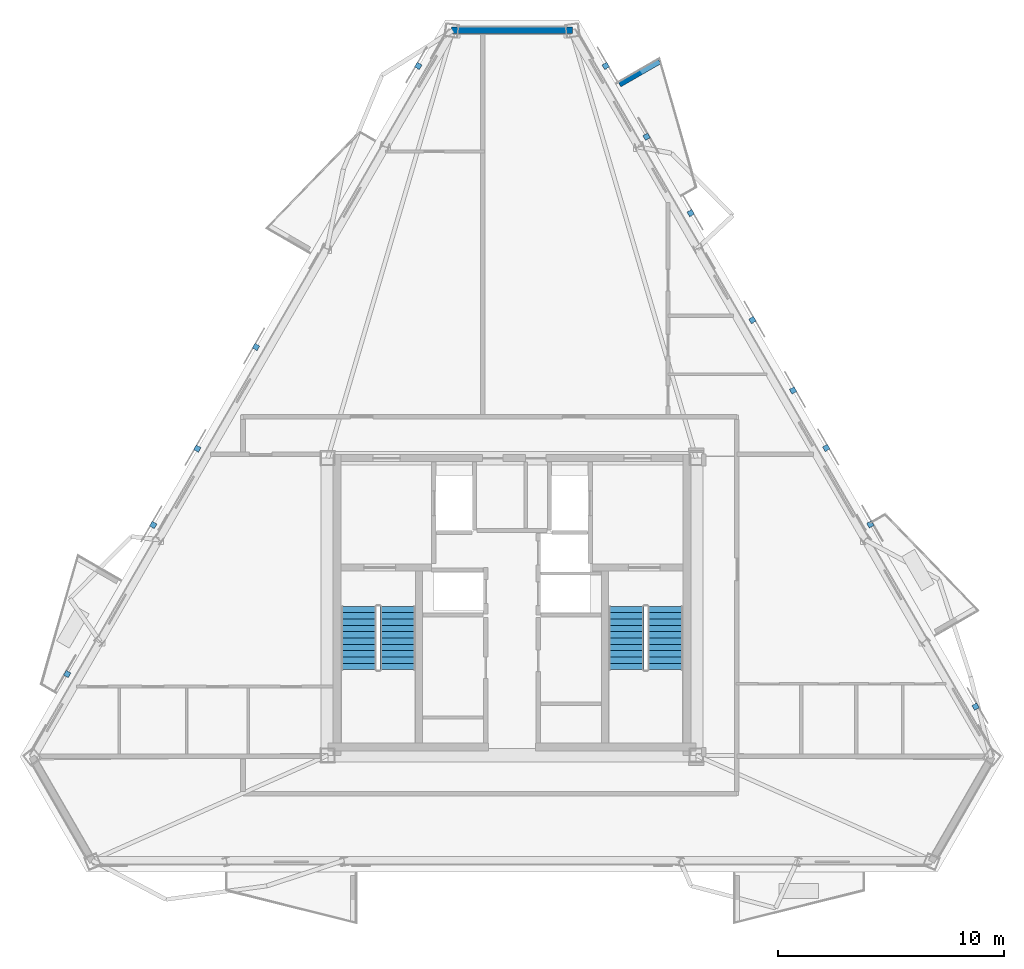
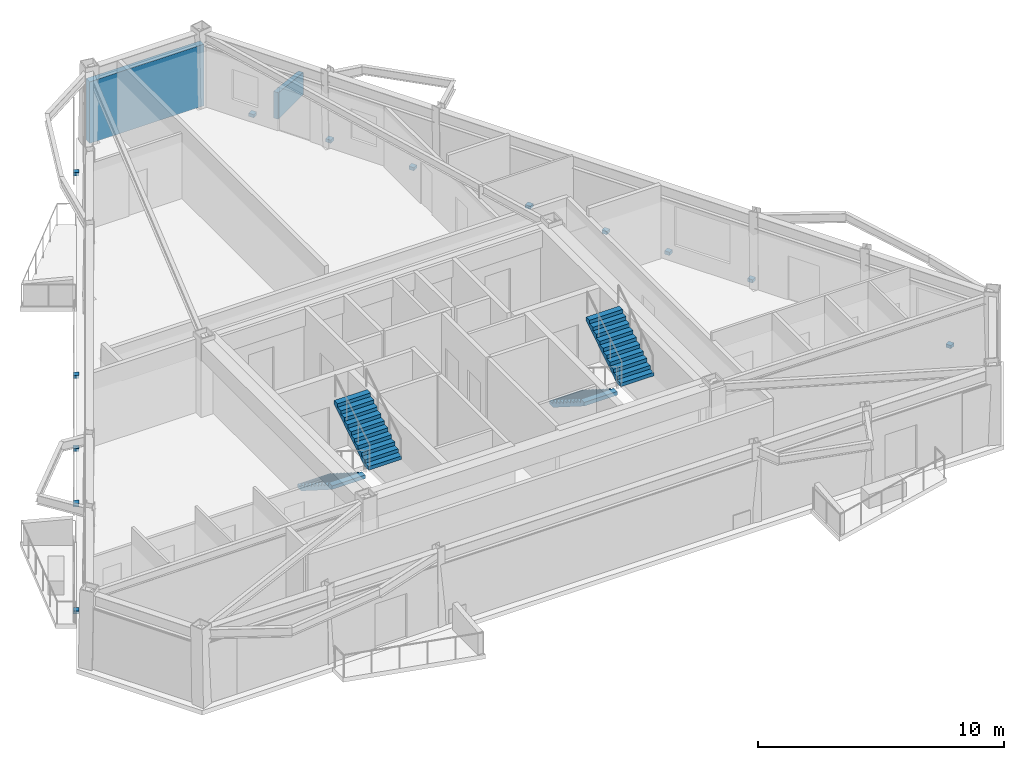
# One storey, part 5 of 9: 13 discrete accessories, 4 stair flights, 2 walls, 2 elements without a shape of their own.
"""IFC4 building model written with IfcOpenShell, lengths in metres."""

import ifcopenshell
import ifcopenshell.guid

model = None  # the IFC model being written
_history = None  # IfcOwnerHistory: only IFC2X3 demands one
_inside = {}  # id of a spatial element -> (the spatial element, [elements in it])
_under = {}  # id of a project, library or spatial element -> (it, [spatial elements below it])
_declared = {}  # id of a project -> (the project, [libraries it declares])
_typed = {}  # id of a type object -> (the type object, [elements of that type])
_made_of = {}  # id of a material, layer set ... -> (it, [elements and type objects made of it])


def new_model(schema):
    """Start an empty IFC model of exactly this schema.

    Asked for "IFC4X3", IfcOpenShell would pick the latest addendum, in which some entities
    have other attributes; the version numbers below select the first issue.
    IFC2X3 requires an IfcOwnerHistory on every rooted entity: one is made here for all.
    """
    global model, _history
    if schema == "IFC4X3":
        model = ifcopenshell.file(schema_version=(4, 3, 0, 0))
    else:
        model = ifcopenshell.file(schema=schema)
    _inside.clear()
    _under.clear()
    _declared.clear()
    _typed.clear()
    _made_of.clear()
    _history = None
    if model.schema == "IFC2X3":
        org = make("IfcOrganization", Name="unknown")
        user = make(
            "IfcPersonAndOrganization",
            ThePerson=make("IfcPerson", FamilyName="unknown"),
            TheOrganization=org,
        )
        app = make(
            "IfcApplication",
            ApplicationDeveloper=org,
            Version="unknown",
            ApplicationFullName="unknown",
            ApplicationIdentifier="unknown",
        )
        _history = make(
            "IfcOwnerHistory",
            OwningUser=user,
            OwningApplication=app,
            ChangeAction="ADDED",
            CreationDate=0,
        )
    return model


def make(cls, **values):
    """One entity of the class cls with the attributes given. An attribute that is None is left unset."""
    return model.create_entity(
        cls, **{name: value for name, value in values.items() if value is not None}
    )


def rooted(cls, **values):
    """An entity with a GlobalId (a new one), such as an element, a storey or a relation."""
    return make(cls, GlobalId=ifcopenshell.guid.new(), OwnerHistory=_history, **values)


def si_unit(unit_type, name, prefix=None):
    """IfcSIUnit, for example si_unit("LENGTHUNIT", "METRE", prefix="MILLI")."""
    return make("IfcSIUnit", UnitType=unit_type, Prefix=prefix, Name=name)


def assignment(units):
    """IfcUnitAssignment: the units of a project."""
    return None if units is None else make("IfcUnitAssignment", Units=units)


def point(xyz):
    """IfcCartesianPoint."""
    return None if xyz is None else make("IfcCartesianPoint", Coordinates=xyz)


def direction(xyz):
    """IfcDirection."""
    return None if xyz is None else make("IfcDirection", DirectionRatios=xyz)


def frame(location, z_axis=None, x_axis=None):
    """IfcAxis2Placement3D, a coordinate frame: its origin and axes. An axis left out is left unset."""
    return make(
        "IfcAxis2Placement3D",
        Location=point(location),
        Axis=direction(z_axis),
        RefDirection=direction(x_axis),
    )


def frame_2d(location, x_axis=None):
    """IfcAxis2Placement2D, a coordinate frame in the plane: its origin and x axis."""
    return make(
        "IfcAxis2Placement2D", Location=point(location), RefDirection=direction(x_axis)
    )


def origin():
    """The frame at (0, 0, 0) with its axes left unset."""
    return frame((0.0, 0.0, 0.0))


def origin_2d():
    """The frame at (0, 0) in the plane with its x axis left unset."""
    return frame_2d((0.0, 0.0))


def place(relative_to, where):
    """IfcLocalPlacement: puts the frame where relative to a parent placement (None: the world)."""
    return make(
        "IfcLocalPlacement", PlacementRelTo=relative_to, RelativePlacement=where
    )


def context(
    kind, dimensions, precision=None, world=None, true_north=None, identifier=None
):
    """IfcGeometricRepresentationContext, for example the 3D "Model" context."""
    return make(
        "IfcGeometricRepresentationContext",
        ContextIdentifier=identifier,
        ContextType=kind,
        CoordinateSpaceDimension=dimensions,
        Precision=precision,
        WorldCoordinateSystem=world,
        TrueNorth=true_north,
    )


def subcontext(parent, identifier, kind, view, scale=None):
    """IfcGeometricRepresentationSubContext, for example "Body" below "Model"."""
    return make(
        "IfcGeometricRepresentationSubContext",
        ContextIdentifier=identifier,
        ContextType=kind,
        ParentContext=parent,
        TargetScale=scale,
        TargetView=view,
    )


def project(units=None, contexts=None):
    """IfcProject with its units and contexts."""
    return rooted(
        "IfcProject",
        Name="project",
        RepresentationContexts=contexts,
        UnitsInContext=assignment(units),
    )


def spatial(cls, under=None, at=None, **own):
    """A site, building, storey or space (cls), placed at a placement, below another one or the project."""
    s = rooted(cls, ObjectPlacement=at, **own)
    if under is not None:
        _under.setdefault(under.id(), (under, []))[1].append(s)
    return s


def polyline(points):
    """IfcPolyline through the points."""
    return make("IfcPolyline", Points=[point(p) for p in points])


def profile(cls, at=None, kind="AREA", **sizes):
    """A parametric profile (cls). Its sizes go by their IFC names, for example OverallWidth=200.0."""
    return make(cls, ProfileType=kind, Position=at, **sizes)


def rectangle(**sizes):
    """IfcRectangleProfileDef."""
    return profile("IfcRectangleProfileDef", **sizes)


def outline(outer, holes=None, kind="AREA"):
    """IfcArbitraryClosedProfileDef: a profile drawn as a closed curve; with holes, ...WithVoids."""
    if holes is None:
        return make("IfcArbitraryClosedProfileDef", ProfileType=kind, OuterCurve=outer)
    return make(
        "IfcArbitraryProfileDefWithVoids",
        ProfileType=kind,
        OuterCurve=outer,
        InnerCurves=holes,
    )


def extrude(swept, where, along, depth):
    """IfcExtrudedAreaSolid: the profile swept, set in the frame where, extruded along a direction by depth."""
    return make(
        "IfcExtrudedAreaSolid",
        SweptArea=swept,
        Position=where,
        ExtrudedDirection=direction(along),
        Depth=depth,
    )


def shape(context_of_items, identifier, shape_type, items):
    """IfcShapeRepresentation: the items that make up one representation, for example the "Body"."""
    return make(
        "IfcShapeRepresentation",
        ContextOfItems=context_of_items,
        RepresentationIdentifier=identifier,
        RepresentationType=shape_type,
        Items=items,
    )


def material(Name=None, Category=None):
    """IfcMaterial."""
    return make("IfcMaterial", Name=Name, Category=Category)


def layer(
    of_material, thickness, ventilated=None, Name=None, Category=None, Priority=None
):
    """IfcMaterialLayer: one layer of a wall or slab, of a material (None: an air gap)."""
    return make(
        "IfcMaterialLayer",
        Material=of_material,
        LayerThickness=thickness,
        IsVentilated=ventilated,
        Name=Name,
        Category=Category,
        Priority=Priority,
    )


def layer_set(layers, Name=None):
    """IfcMaterialLayerSet."""
    return make("IfcMaterialLayerSet", MaterialLayers=layers, LayerSetName=Name)


def made_of(thing, what):
    """Note that an element or type object is made of a material, layer set ...; save() writes the relation."""
    if what is not None:
        _made_of.setdefault(what.id(), (what, []))[1].append(thing)
    return thing


def type_object(cls, material=None, **own):
    """A type object (cls), such as IfcWallType, which elements share."""
    return made_of(rooted(cls, **own), material)


def element(
    cls,
    number,
    at=None,
    inside=None,
    cuts=None,
    type_object=None,
    material=None,
    context=None,
    identifier="Body",
    shape_type=None,
    held_by="IfcProductDefinitionShape",
    body=None,
    shapes=None,
    **own,
):
    """One element of the class cls, such as IfcWall. Its Tag is "e" and its number.

    at: its placement. inside: the storey or other place that contains it. cuts: it is an
    opening in that element (IfcRelVoidsElement). A single representation is given by context,
    identifier, shape_type and body (its items); several are given by shapes. held_by: the class
    of the entity that holds the representations. save() writes the other relations.
    """
    e = rooted(cls, Tag="e%d" % number, ObjectPlacement=at, **own)
    if body is not None:
        shapes = [shape(context, identifier, shape_type, body)]
    if shapes is not None:
        e.Representation = make(held_by, Representations=shapes)
    if inside is not None:
        _inside.setdefault(inside.id(), (inside, []))[1].append(e)
    if cuts is not None:
        rooted(
            "IfcRelVoidsElement", RelatingBuildingElement=cuts, RelatedOpeningElement=e
        )
    if type_object is not None:
        _typed.setdefault(type_object.id(), (type_object, []))[1].append(e)
    return made_of(e, material)


def aggregate(whole, parts):
    """IfcRelAggregates: a whole, such as a stair, and the parts it consists of."""
    return rooted("IfcRelAggregates", RelatingObject=whole, RelatedObjects=parts)


def save(model, path):
    """Write the relations noted so far, then the file.

    IfcRelAggregates (storeys below a building ...), IfcRelContainedInSpatialStructure (elements
    in a storey), IfcRelDefinesByType, IfcRelAssociatesMaterial and IfcRelDeclares: one each for
    every whole, place, type object, material and project.
    """
    for whole, parts in _under.values():
        aggregate(whole, parts)
    for where, things in _inside.values():
        rooted(
            "IfcRelContainedInSpatialStructure",
            RelatedElements=things,
            RelatingStructure=where,
        )
    for kind, things in _typed.values():
        rooted("IfcRelDefinesByType", RelatedObjects=things, RelatingType=kind)
    for what, things in _made_of.values():
        rooted("IfcRelAssociatesMaterial", RelatedObjects=things, RelatingMaterial=what)
    for by, libraries in _declared.values():
        rooted("IfcRelDeclares", RelatingContext=by, RelatedDefinitions=libraries)
    model.write(path)


model = new_model("IFC4")

# Units and contexts
model_context = context("Model", 3, precision=1e-05, world=origin(), true_north=direction((0.0, 1.0)))
body_context = subcontext(model_context, "Body", "Model", "MODEL_VIEW")
ifc_project = project(units=[si_unit("LENGTHUNIT", "METRE"), si_unit("AREAUNIT", "SQUARE_METRE"), si_unit("VOLUMEUNIT", "CUBIC_METRE"), si_unit("PLANEANGLEUNIT", "RADIAN"), si_unit("MASSUNIT", "GRAM", prefix="KILO")], contexts=[model_context])

# Site, building, storey
site_placement = place(None, origin())
site = spatial("IfcSite", under=ifc_project, at=site_placement, CompositionType="ELEMENT")
building_placement = place(site_placement, origin())
building = spatial("IfcBuilding", under=site, at=building_placement, Name="Oramaril Tower", CompositionType="ELEMENT")
storey_placement = place(building_placement, frame((0.0, 0.0, 253.800048828125)))
storey = spatial("IfcBuildingStorey", under=building, at=storey_placement, Name="L67", CompositionType="ELEMENT", Elevation=253.800048828125)

# Walls
ifc_material_1 = material(Name="Warm Cream Limestone", Category="masonry")
ifc_layer_1 = layer(ifc_material_1, 0.2900390625)
ifc_layer_set_1 = layer_set([ifc_layer_1], Name="WT-EXT29")
wall_type_1 = type_object("IfcWallType", Name="WT-EXT29", PredefinedType="SOLIDWALL", material=ifc_layer_set_1)
wall_1_placement = place(storey_placement, frame((40.18212890625, 43.069580078125, 0.0), z_axis=(0.0, 0.0, 1.0), x_axis=(-1.0, 0.0, 0.0)))
element("IfcWall", 1, at=wall_1_placement, inside=storey, type_object=wall_type_1, Name="L67 Tower Limestone Facade Wall 5M", PredefinedType="SOLIDWALL", context=body_context, shape_type="SweptSolid", body=[
    extrude(rectangle(XDim=5.3642578125, YDim=0.2900390625, at=frame_2d((2.68212890625, 0.0))), origin(), (0.0, 0.0, 1.0), 3.057861328125),
])
ifc_material_2 = material(Name="Concrete C40/50", Category="concrete")
ifc_layer_2 = layer(ifc_material_2, 0.22998046875)
ifc_layer_set_2 = layer_set([ifc_layer_2], Name="WT-PRP23")
wall_type_2 = type_object("IfcWallType", Name="WT-PRP23", PredefinedType="PARAPET", material=ifc_layer_set_2)
wall_2_placement = place(storey_placement, frame((42.25732421875, 40.67138671875, 0.0), z_axis=(0.0, 0.0, 1.0), x_axis=(0.866012356593, 0.500022597718, 0.0)))
element("IfcWall", 2, at=wall_2_placement, inside=storey, type_object=wall_type_2, Name="L67 Trapezoidal Balcony Frame Cheek L67-BAL-NE2-R", PredefinedType="PARAPET", context=body_context, shape_type="SweptSolid", body=[
    extrude(outline(polyline([(0.0, 0.0), (2.0419921875, 0.0), (2.0419921875, 1.099853515625), (0.0, 1.320068359375), (0.0, 0.0)])), frame((0.0, 0.114990234375, 0.0), z_axis=(0.0, -1.0, 0.0), x_axis=(1.0, 0.0, 0.0)), (0.0, 0.0, 1.0), 0.22998046875),
])

# Stair, stair flights
ifc_material_3 = material(Name="Concrete C50/60", Category="concrete")
stair_type = type_object("IfcStairType", Name="STT-DG-3900", PredefinedType="HALF_TURN_STAIR", material=ifc_material_3)
stair_1_placement = place(storey_placement, origin())
stair_1 = element("IfcStair", 3, at=stair_1_placement, inside=storey, type_object=stair_type, Name="L67 Protected PFP Exit Stair ST-1", PredefinedType="HALF_TURN_STAIR")
ifc_material_4 = material(Name="Concrete C50/60", Category="concrete")
stair_flight_type = type_object("IfcStairFlightType", Name="SFT-DG-3900", PredefinedType="STRAIGHT", material=ifc_material_4)
stair_flight_1_placement = place(storey_placement, frame((30.72998046875, 17.590087890625, 0.0), z_axis=(0.0, 0.0, 1.0), x_axis=(0.0, -1.0, 0.0)))
stair_flight_1 = element("IfcStairFlight", 4, at=stair_flight_1_placement, type_object=stair_flight_type, Name="ST-1 flight 1", NumberOfRisers=11, NumberOfTreads=10, PredefinedType="STRAIGHT", RiserHeight=0.177272727, TreadLength=0.28, context=body_context, shape_type="SweptSolid", body=[
    extrude(outline(polyline([(0.0, 0.0), (0.0, 0.17724609375), (0.280029296875, 0.17724609375), (0.280029296875, 0.3544921875), (0.56005859375, 0.3544921875), (0.56005859375, 0.53173828125), (0.840087890625, 0.53173828125), (0.840087890625, 0.708984375), (1.1201171875, 0.708984375), (1.1201171875, 0.886474609375), (1.39990234375, 0.886474609375), (1.39990234375, 1.063720703125), (1.679931640625, 1.063720703125), (1.679931640625, 1.240966796875), (1.9599609375, 1.240966796875), (1.9599609375, 1.418212890625), (2.239990234375, 1.418212890625), (2.239990234375, 1.595458984375), (2.52001953125, 1.595458984375), (2.52001953125, 1.772705078125), (2.800048828125, 1.772705078125), (2.800048828125, 1.949951171875), (2.800048828125, 1.59521484375), (0.2802734375, 0.0), (0.0, 0.0)])), frame((0.0, 0.780029296875, 0.0), z_axis=(0.0, -1.0, 0.0), x_axis=(1.0, 0.0, 0.0)), (0.0, 0.0, 1.0), 1.56005859375),
])
stair_flight_2_placement = place(storey_placement, frame((32.43994140625, 14.7900390625, 1.949951171875), z_axis=(0.0, 0.0, 1.0), x_axis=(0.0, 1.0, 0.0)))
stair_flight_2 = element("IfcStairFlight", 5, at=stair_flight_2_placement, type_object=stair_flight_type, Name="ST-1 flight 2", NumberOfRisers=11, NumberOfTreads=10, PredefinedType="STRAIGHT", RiserHeight=0.177272727, TreadLength=0.28, context=body_context, shape_type="SweptSolid", body=[
    extrude(outline(polyline([(0.0, 0.0), (0.0, 0.17724609375), (0.280029296875, 0.17724609375), (0.280029296875, 0.3544921875), (0.56005859375, 0.3544921875), (0.56005859375, 0.53173828125), (0.840087890625, 0.53173828125), (0.840087890625, 0.708984375), (1.1201171875, 0.708984375), (1.1201171875, 0.886474609375), (1.39990234375, 0.886474609375), (1.39990234375, 1.063720703125), (1.679931640625, 1.063720703125), (1.679931640625, 1.240966796875), (1.9599609375, 1.240966796875), (1.9599609375, 1.418212890625), (2.239990234375, 1.418212890625), (2.239990234375, 1.595458984375), (2.52001953125, 1.595458984375), (2.52001953125, 1.772705078125), (2.800048828125, 1.772705078125), (2.800048828125, 1.949951171875), (2.800048828125, 1.59521484375), (0.2802734375, 0.0), (0.0, 0.0)])), frame((0.0, 0.780029296875, 0.0), z_axis=(0.0, -1.0, 0.0), x_axis=(1.0, 0.0, 0.0)), (0.0, 0.0, 1.0), 1.56005859375),
])
aggregate(stair_1, [stair_flight_1, stair_flight_2])

stair_2_placement = place(storey_placement, origin())
stair_2 = element("IfcStair", 6, at=stair_2_placement, inside=storey, type_object=stair_type, Name="L67 Protected PFP Exit Stair ST-2", PredefinedType="HALF_TURN_STAIR")
stair_flight_3_placement = place(storey_placement, frame((42.56005859375, 17.590087890625, 0.0), z_axis=(0.0, 0.0, 1.0), x_axis=(0.0, -1.0, 0.0)))
stair_flight_3 = element("IfcStairFlight", 7, at=stair_flight_3_placement, type_object=stair_flight_type, Name="ST-2 flight 1", NumberOfRisers=11, NumberOfTreads=10, PredefinedType="STRAIGHT", RiserHeight=0.177272727, TreadLength=0.28, context=body_context, shape_type="SweptSolid", body=[
    extrude(outline(polyline([(0.0, 0.0), (0.0, 0.17724609375), (0.280029296875, 0.17724609375), (0.280029296875, 0.3544921875), (0.56005859375, 0.3544921875), (0.56005859375, 0.53173828125), (0.840087890625, 0.53173828125), (0.840087890625, 0.708984375), (1.1201171875, 0.708984375), (1.1201171875, 0.886474609375), (1.39990234375, 0.886474609375), (1.39990234375, 1.063720703125), (1.679931640625, 1.063720703125), (1.679931640625, 1.240966796875), (1.9599609375, 1.240966796875), (1.9599609375, 1.418212890625), (2.239990234375, 1.418212890625), (2.239990234375, 1.595458984375), (2.52001953125, 1.595458984375), (2.52001953125, 1.772705078125), (2.800048828125, 1.772705078125), (2.800048828125, 1.949951171875), (2.800048828125, 1.59521484375), (0.2802734375, 0.0), (0.0, 0.0)])), frame((0.0, 0.780029296875, 0.0), z_axis=(0.0, -1.0, 0.0), x_axis=(1.0, 0.0, 0.0)), (0.0, 0.0, 1.0), 1.56005859375),
])
stair_flight_4_placement = place(storey_placement, frame((44.27001953125, 14.7900390625, 1.949951171875), z_axis=(0.0, 0.0, 1.0), x_axis=(0.0, 1.0, 0.0)))
stair_flight_4 = element("IfcStairFlight", 8, at=stair_flight_4_placement, type_object=stair_flight_type, Name="ST-2 flight 2", NumberOfRisers=11, NumberOfTreads=10, PredefinedType="STRAIGHT", RiserHeight=0.177272727, TreadLength=0.28, context=body_context, shape_type="SweptSolid", body=[
    extrude(outline(polyline([(0.0, 0.0), (0.0, 0.17724609375), (0.280029296875, 0.17724609375), (0.280029296875, 0.3544921875), (0.56005859375, 0.3544921875), (0.56005859375, 0.53173828125), (0.840087890625, 0.53173828125), (0.840087890625, 0.708984375), (1.1201171875, 0.708984375), (1.1201171875, 0.886474609375), (1.39990234375, 0.886474609375), (1.39990234375, 1.063720703125), (1.679931640625, 1.063720703125), (1.679931640625, 1.240966796875), (1.9599609375, 1.240966796875), (1.9599609375, 1.418212890625), (2.239990234375, 1.418212890625), (2.239990234375, 1.595458984375), (2.52001953125, 1.595458984375), (2.52001953125, 1.772705078125), (2.800048828125, 1.772705078125), (2.800048828125, 1.949951171875), (2.800048828125, 1.59521484375), (0.2802734375, 0.0), (0.0, 0.0)])), frame((0.0, 0.780029296875, 0.0), z_axis=(0.0, -1.0, 0.0), x_axis=(1.0, 0.0, 0.0)), (0.0, 0.0, 1.0), 1.56005859375),
])
aggregate(stair_2, [stair_flight_3, stair_flight_4])

# Discrete accessories
for number, where, z_axis, x_axis, name in (
    (9, (53.351806640625, 21.219482421875, -0.14013671875), (0.0, 0.0, 1.0), (-0.500001511499, 0.866024531118, 0.0), "L67 Solar Screen Slab Bracket"),
    (10, (51.401611328125, 24.596923828125, -0.14013671875), (0.0, 0.0, 1.0), (-0.500001511499, 0.866024531118, 0.0), "L67 Solar Screen Slab Bracket"),
    (11, (58.008544921875, 13.153564453125, -0.14013671875), (0.0, 0.0, 1.0), (-0.500001511499, 0.866024531118, 0.0), "L67 Solar Screen Slab Bracket"),
    (12, (45.40283203125, 34.9873046875, -0.14013671875), (0.0, 0.0, 1.0), (-0.500001511499, 0.866024531118, 0.0), "L67 Solar Screen Slab Bracket"),
    (13, (43.452880859375, 38.36474609375, -0.14013671875), (0.0, 0.0, 1.0), (-0.500001511499, 0.866024531118, 0.0), "L67 Solar Screen Slab Bracket"),
    (14, (41.644775390625, 41.496337890625, -0.14013671875), (0.0, 0.0, 1.0), (-0.500001511499, 0.866024531118, 0.0), "L67 Solar Screen Slab Bracket"),
    (15, (49.932861328125, 27.14111328125, -0.14013671875), (0.0, 0.0, 1.0), (-0.500001511499, 0.866024531118, 0.0), "L67 Solar Screen Slab Bracket"),
    (16, (48.134765625, 30.25537109375, -0.14013671875), (0.0, 0.0, 1.0), (-0.500001511499, 0.866024531118, 0.0), "L67 Solar Screen Slab Bracket"),
    (17, (23.5810546875, 24.56689453125, -0.14013671875), (0.0, 0.0, 1.0), (-0.500001511499, -0.866024531118, 0.0), "L67 Solar Screen Slab Bracket"),
    (18, (21.631103515625, 21.189453125, -0.14013671875), (0.0, 0.0, 1.0), (-0.500001511499, -0.866024531118, 0.0), "L67 Solar Screen Slab Bracket"),
    (19, (17.82421875, 14.595703125, -0.14013671875), (0.0, 0.0, 1.0), (-0.500001511499, -0.866024531118, 0.0), "L67 Solar Screen Slab Bracket"),
    (20, (26.176513671875, 29.062744140625, -0.14013671875), (0.0, 0.0, 1.0), (-0.500001511499, -0.866024531118, 0.0), "L67 Solar Screen Slab Bracket"),
    (21, (33.35546875, 41.496826171875, -0.14013671875), (0.0, 0.0, 1.0), (-0.500001511499, -0.866024531118, 0.0), "L67 Solar Screen Slab Bracket"),
):
    element("IfcDiscreteAccessory", number, at=place(storey_placement, frame(where, z_axis=z_axis, x_axis=x_axis)), inside=storey, Name=name, PredefinedType="BRACKET", context=body_context, shape_type="SweptSolid", body=[
        extrude(rectangle(XDim=0.239990234375, YDim=0.239990234375, at=origin_2d()), origin(), (0.0, 0.0, 1.0), 0.159912109375),
    ])

save(model, "model.ifc")
